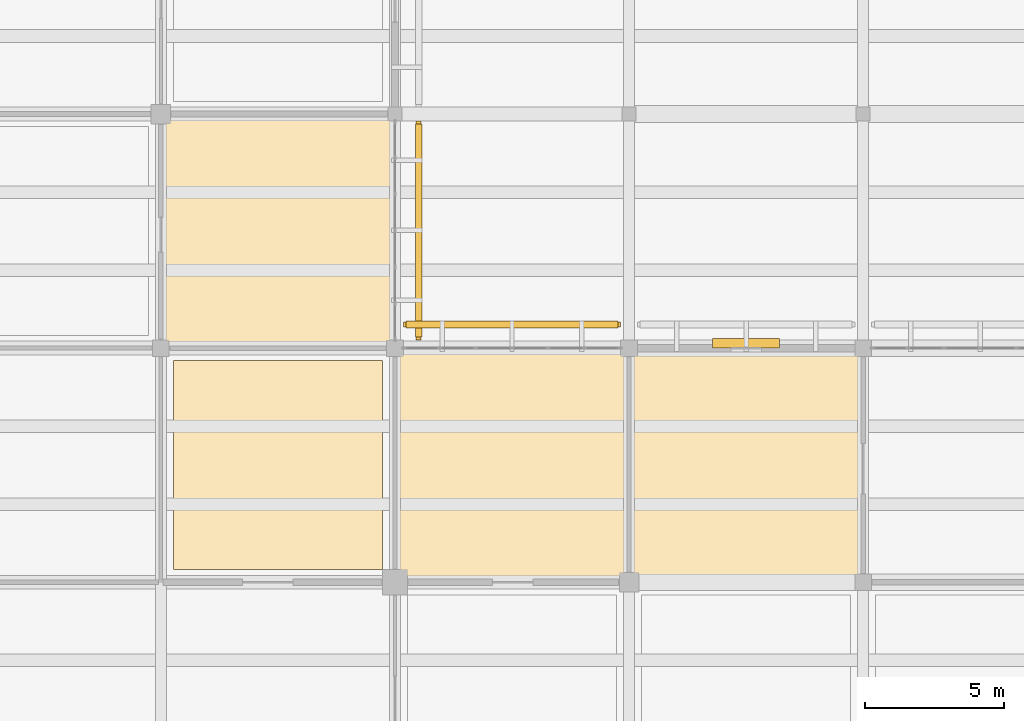
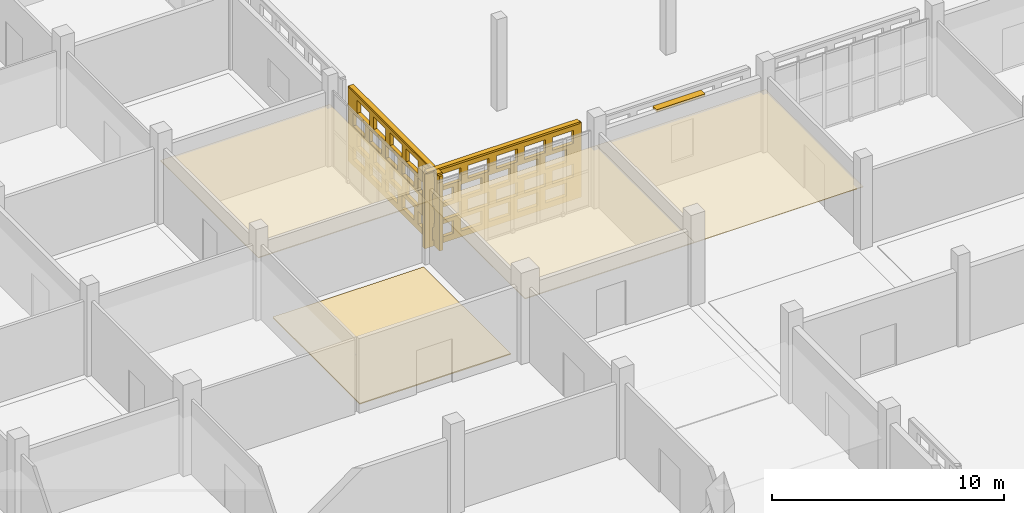
# One storey, part 88 of 129: 6 coverings, 3 shading devices, 40 openings.
"""IFC4 building model written with IfcOpenShell, lengths in metres."""

from ifc_helpers import new_model, si_unit, direction, frame, frame_2d, origin, origin_2d, place, context, subcontext, project, spatial, rectangle, extrude, material, layer, layer_set, type_object, element, save


model = new_model("IFC4")

# Units and contexts
model_context = context("Model", 3, precision=1e-05, world=origin(), true_north=direction((0.0, 1.0)))
body_context = subcontext(model_context, "Body", "Model", "MODEL_VIEW")
ifc_project = project(units=[si_unit("LENGTHUNIT", "METRE"), si_unit("AREAUNIT", "SQUARE_METRE"), si_unit("VOLUMEUNIT", "CUBIC_METRE"), si_unit("PLANEANGLEUNIT", "RADIAN"), si_unit("MASSUNIT", "GRAM", prefix="KILO")], contexts=[model_context])

# Site, building, storey
site_placement = place(None, origin())
site = spatial("IfcSite", under=ifc_project, at=site_placement, CompositionType="ELEMENT")
building_placement = place(site_placement, origin())
building = spatial("IfcBuilding", under=site, at=building_placement, Name="Varnapada Polytechnic", CompositionType="ELEMENT")
storey_placement = place(building_placement, origin())
storey = spatial("IfcBuildingStorey", under=building, at=storey_placement, Name="L00", CompositionType="ELEMENT", Elevation=0.0)

# Covering
ifc_material_1 = material(Name="End-Grain Timber Studio Block Flooring", Category="wood")
ifc_layer_1 = layer(ifc_material_1, 0.054931640625)
ifc_layer_set_1 = layer_set([ifc_layer_1], Name="End-Grain Timber Studio Block Flooring")
covering_type_1 = type_object("IfcCoveringType", Name="Floor Finish FLR-04", PredefinedType="FLOORING", material=ifc_layer_set_1)
covering_1_placement = place(storey_placement, frame((37.800048828125, 37.800048828125, 0.0), z_axis=(0.0, 0.0, 1.0), x_axis=(1.0, 0.0, 0.0)))
element("IfcCovering", 1, at=covering_1_placement, inside=storey, type_object=covering_type_1, Name="L00 floor finish panel (5,5)", PredefinedType="FLOORING", context=body_context, shape_type="SweptSolid", body=[
    extrude(rectangle(XDim=7.5, YDim=7.5, at=origin_2d()), origin(), (0.0, 0.0, 1.0), 0.054931640625),
])

# Shading device
ifc_material_2 = material(Name="Anodised aluminium", Category="aluminium")
ifc_layer_2 = layer(ifc_material_2, 0.35009765625)
ifc_layer_set_2 = layer_set([ifc_layer_2], Name="Anodised aluminium")
shading_device_type_1 = type_object("IfcShadingDeviceType", Name="Solar Louvre LVR-01", PredefinedType="JALOUSIE", material=ifc_layer_set_2)
shading_device_1_placement = place(storey_placement, frame((54.60009765625, 42.179931640625, 3.760009765625), z_axis=(0.0, 0.0, 1.0), x_axis=(1.0, 0.0, 0.0)))
element("IfcShadingDevice", 2, at=shading_device_1_placement, inside=storey, type_object=shading_device_type_1, Name="L00 aluminium sun louvre 40", PredefinedType="JALOUSIE", context=body_context, shape_type="SweptSolid", body=[
    extrude(rectangle(XDim=2.39990234375, YDim=0.340087890625, at=origin_2d()), origin(), (0.0, 0.0, 1.0), 0.1201171875),
])

# Coverings
ifc_material_3 = material(Name="Moisture-Resistant Aluminum Baffle Ceiling", Category="aluminium")
ifc_layer_3 = layer(ifc_material_3, 0.030029296875)
ifc_layer_set_3 = layer_set([ifc_layer_3], Name="Moisture-Resistant Aluminum Baffle Ceiling")
covering_type_2 = type_object("IfcCoveringType", Name="Suspended Ceiling CLG-03", PredefinedType="CEILING", material=ifc_layer_set_3)
covering_2_placement = place(storey_placement, frame((54.60009765625, 37.800048828125, 3.03515625), z_axis=(0.0, 0.0, 1.0), x_axis=(1.0, 0.0, 0.0)))
element("IfcCovering", 3, at=covering_2_placement, inside=storey, type_object=covering_type_2, Name="L00 suspended acoustic ceiling (7,5)", PredefinedType="CEILING", context=body_context, shape_type="SweptSolid", body=[
    extrude(rectangle(XDim=8.419921875, YDim=8.419921875, at=origin_2d()), origin(), (0.0, 0.0, 1.0), 0.030029296875),
])
ifc_material_4 = material(Name="Micro-Perforated Gypsum Acoustic Ceiling")
ifc_layer_4 = layer(ifc_material_4, 0.044921875)
ifc_layer_set_4 = layer_set([ifc_layer_4], Name="Micro-Perforated Gypsum Acoustic Ceiling")
covering_type_3 = type_object("IfcCoveringType", Name="Suspended Ceiling CLG-04", PredefinedType="CEILING", material=ifc_layer_set_4)
for number, where, z_axis, x_axis, name in (
    (4, (37.800048828125, 46.199951171875, 3.027587890625), (0.0, 0.0, 1.0), (1.0, 0.0, 0.0), "L00 suspended acoustic ceiling (5,6)"),
    (5, (46.199951171875, 37.800048828125, 3.027587890625), (0.0, 0.0, 1.0), (1.0, 0.0, 0.0), "L00 suspended acoustic ceiling (6,5)"),
):
    element("IfcCovering", number, at=place(storey_placement, frame(where, z_axis=z_axis, x_axis=x_axis)), inside=storey, type_object=covering_type_3, Name=name, PredefinedType="CEILING", context=body_context, shape_type="SweptSolid", body=[
        extrude(rectangle(XDim=8.419921875, YDim=8.419921875, at=origin_2d()), origin(), (0.0, 0.0, 1.0), 0.044921875),
    ])

# Covering, openings
ifc_material_5 = material(Name="Earth-toned architectural terracotta screen block", Category="masonry")
ifc_layer_5 = layer(ifc_material_5, 0.1201171875)
ifc_layer_set_5 = layer_set([ifc_layer_5], Name="Earth-toned architectural terracotta screen block")
covering_type_4 = type_object("IfcCoveringType", Name="Terracotta Screen Cladding CLD-01", PredefinedType="CLADDING", material=ifc_layer_set_5)
covering_3_placement = place(storey_placement, frame((42.85009765625, 50.14990234375, 0.0), z_axis=(0.0, 0.0, 1.0), x_axis=(0.0, -1.0, 0.0)))
covering_3 = element("IfcCovering", 6, at=covering_3_placement, inside=storey, type_object=covering_type_4, Name="L00 perforated terracotta block screen (25)", PredefinedType="CLADDING", context=body_context, shape_type="SweptSolid", body=[
    extrude(rectangle(XDim=7.849853515625, YDim=0.179931640625, at=frame_2d((3.9248046875, 0.0))), origin(), (0.0, 0.0, 1.0), 3.919921875),
])
opening_1_placement = place(covering_3_placement, frame((0.425048828125, 0.0, 0.313720703125)))
element("IfcOpeningElement", 7, at=opening_1_placement, cuts=covering_3, Name="Screen perforation TBS-L00-024.1", PredefinedType="OPENING", context=body_context, shape_type="SweptSolid", body=[
    extrude(rectangle(XDim=1.0400390625, YDim=0.679931640625, at=frame_2d((0.52001953125, 0.33984375))), frame((0.0, 0.099853515625, 0.0), z_axis=(0.0, -1.0, 0.0), x_axis=(1.0, 0.0, 0.0)), (0.0, 0.0, 1.0), 0.199951171875),
])
opening_2_placement = place(covering_3_placement, frame((1.824951171875, 0.0, 0.313720703125)))
element("IfcOpeningElement", 8, at=opening_2_placement, cuts=covering_3, Name="Screen perforation TBS-L00-024.2", PredefinedType="OPENING", context=body_context, shape_type="SweptSolid", body=[
    extrude(rectangle(XDim=1.0400390625, YDim=0.679931640625, at=frame_2d((0.52001953125, 0.33984375))), frame((0.0, 0.099853515625, 0.0), z_axis=(0.0, -1.0, 0.0), x_axis=(1.0, 0.0, 0.0)), (0.0, 0.0, 1.0), 0.199951171875),
])
opening_3_placement = place(covering_3_placement, frame((3.22509765625, 0.0, 0.313720703125)))
element("IfcOpeningElement", 9, at=opening_3_placement, cuts=covering_3, Name="Screen perforation TBS-L00-024.3", PredefinedType="OPENING", context=body_context, shape_type="SweptSolid", body=[
    extrude(rectangle(XDim=1.0400390625, YDim=0.679931640625, at=frame_2d((0.52001953125, 0.33984375))), frame((0.0, 0.099853515625, 0.0), z_axis=(0.0, -1.0, 0.0), x_axis=(1.0, 0.0, 0.0)), (0.0, 0.0, 1.0), 0.199951171875),
])
opening_4_placement = place(covering_3_placement, frame((4.625, 0.0, 0.313720703125)))
element("IfcOpeningElement", 10, at=opening_4_placement, cuts=covering_3, Name="Screen perforation TBS-L00-024.4", PredefinedType="OPENING", context=body_context, shape_type="SweptSolid", body=[
    extrude(rectangle(XDim=1.0400390625, YDim=0.679931640625, at=frame_2d((0.52001953125, 0.33984375))), frame((0.0, 0.099853515625, 0.0), z_axis=(0.0, -1.0, 0.0), x_axis=(1.0, 0.0, 0.0)), (0.0, 0.0, 1.0), 0.199951171875),
])
opening_5_placement = place(covering_3_placement, frame((6.02490234375, 0.0, 0.313720703125)))
element("IfcOpeningElement", 11, at=opening_5_placement, cuts=covering_3, Name="Screen perforation TBS-L00-024.5", PredefinedType="OPENING", context=body_context, shape_type="SweptSolid", body=[
    extrude(rectangle(XDim=1.0400390625, YDim=0.679931640625, at=frame_2d((0.52001953125, 0.33984375))), frame((0.0, 0.099853515625, 0.0), z_axis=(0.0, -1.0, 0.0), x_axis=(1.0, 0.0, 0.0)), (0.0, 0.0, 1.0), 0.199951171875),
])
opening_6_placement = place(covering_3_placement, frame((0.784912109375, 0.0, 1.195556640625)))
element("IfcOpeningElement", 12, at=opening_6_placement, cuts=covering_3, Name="Screen perforation TBS-L00-024.6", PredefinedType="OPENING", context=body_context, shape_type="SweptSolid", body=[
    extrude(rectangle(XDim=1.0400390625, YDim=0.679931640625, at=frame_2d((0.52001953125, 0.33984375))), frame((0.0, 0.099853515625, 0.0), z_axis=(0.0, -1.0, 0.0), x_axis=(1.0, 0.0, 0.0)), (0.0, 0.0, 1.0), 0.199951171875),
])
opening_7_placement = place(covering_3_placement, frame((2.18505859375, 0.0, 1.195556640625)))
element("IfcOpeningElement", 13, at=opening_7_placement, cuts=covering_3, Name="Screen perforation TBS-L00-024.7", PredefinedType="OPENING", context=body_context, shape_type="SweptSolid", body=[
    extrude(rectangle(XDim=1.0400390625, YDim=0.679931640625, at=frame_2d((0.52001953125, 0.33984375))), frame((0.0, 0.099853515625, 0.0), z_axis=(0.0, -1.0, 0.0), x_axis=(1.0, 0.0, 0.0)), (0.0, 0.0, 1.0), 0.199951171875),
])
opening_8_placement = place(covering_3_placement, frame((3.5849609375, 0.0, 1.195556640625)))
element("IfcOpeningElement", 14, at=opening_8_placement, cuts=covering_3, Name="Screen perforation TBS-L00-024.8", PredefinedType="OPENING", context=body_context, shape_type="SweptSolid", body=[
    extrude(rectangle(XDim=1.0400390625, YDim=0.679931640625, at=frame_2d((0.52001953125, 0.33984375))), frame((0.0, 0.099853515625, 0.0), z_axis=(0.0, -1.0, 0.0), x_axis=(1.0, 0.0, 0.0)), (0.0, 0.0, 1.0), 0.199951171875),
])
opening_9_placement = place(covering_3_placement, frame((4.985107421875, 0.0, 1.195556640625)))
element("IfcOpeningElement", 15, at=opening_9_placement, cuts=covering_3, Name="Screen perforation TBS-L00-024.9", PredefinedType="OPENING", context=body_context, shape_type="SweptSolid", body=[
    extrude(rectangle(XDim=1.0400390625, YDim=0.679931640625, at=frame_2d((0.52001953125, 0.33984375))), frame((0.0, 0.099853515625, 0.0), z_axis=(0.0, -1.0, 0.0), x_axis=(1.0, 0.0, 0.0)), (0.0, 0.0, 1.0), 0.199951171875),
])
opening_10_placement = place(covering_3_placement, frame((6.385009765625, 0.0, 1.195556640625)))
element("IfcOpeningElement", 16, at=opening_10_placement, cuts=covering_3, Name="Screen perforation TBS-L00-024.10", PredefinedType="OPENING", context=body_context, shape_type="SweptSolid", body=[
    extrude(rectangle(XDim=1.0400390625, YDim=0.679931640625, at=frame_2d((0.52001953125, 0.33984375))), frame((0.0, 0.099853515625, 0.0), z_axis=(0.0, -1.0, 0.0), x_axis=(1.0, 0.0, 0.0)), (0.0, 0.0, 1.0), 0.199951171875),
])
opening_11_placement = place(covering_3_placement, frame((0.425048828125, 0.0, 2.07763671875)))
element("IfcOpeningElement", 17, at=opening_11_placement, cuts=covering_3, Name="Screen perforation TBS-L00-024.11", PredefinedType="OPENING", context=body_context, shape_type="SweptSolid", body=[
    extrude(rectangle(XDim=1.0400390625, YDim=0.679931640625, at=frame_2d((0.52001953125, 0.33984375))), frame((0.0, 0.099853515625, 0.0), z_axis=(0.0, -1.0, 0.0), x_axis=(1.0, 0.0, 0.0)), (0.0, 0.0, 1.0), 0.199951171875),
])
opening_12_placement = place(covering_3_placement, frame((1.824951171875, 0.0, 2.07763671875)))
element("IfcOpeningElement", 18, at=opening_12_placement, cuts=covering_3, Name="Screen perforation TBS-L00-024.12", PredefinedType="OPENING", context=body_context, shape_type="SweptSolid", body=[
    extrude(rectangle(XDim=1.0400390625, YDim=0.679931640625, at=frame_2d((0.52001953125, 0.33984375))), frame((0.0, 0.099853515625, 0.0), z_axis=(0.0, -1.0, 0.0), x_axis=(1.0, 0.0, 0.0)), (0.0, 0.0, 1.0), 0.199951171875),
])
opening_13_placement = place(covering_3_placement, frame((3.22509765625, 0.0, 2.07763671875)))
element("IfcOpeningElement", 19, at=opening_13_placement, cuts=covering_3, Name="Screen perforation TBS-L00-024.13", PredefinedType="OPENING", context=body_context, shape_type="SweptSolid", body=[
    extrude(rectangle(XDim=1.0400390625, YDim=0.679931640625, at=frame_2d((0.52001953125, 0.33984375))), frame((0.0, 0.099853515625, 0.0), z_axis=(0.0, -1.0, 0.0), x_axis=(1.0, 0.0, 0.0)), (0.0, 0.0, 1.0), 0.199951171875),
])
opening_14_placement = place(covering_3_placement, frame((4.625, 0.0, 2.07763671875)))
element("IfcOpeningElement", 20, at=opening_14_placement, cuts=covering_3, Name="Screen perforation TBS-L00-024.14", PredefinedType="OPENING", context=body_context, shape_type="SweptSolid", body=[
    extrude(rectangle(XDim=1.0400390625, YDim=0.679931640625, at=frame_2d((0.52001953125, 0.33984375))), frame((0.0, 0.099853515625, 0.0), z_axis=(0.0, -1.0, 0.0), x_axis=(1.0, 0.0, 0.0)), (0.0, 0.0, 1.0), 0.199951171875),
])
opening_15_placement = place(covering_3_placement, frame((6.02490234375, 0.0, 2.07763671875)))
element("IfcOpeningElement", 21, at=opening_15_placement, cuts=covering_3, Name="Screen perforation TBS-L00-024.15", PredefinedType="OPENING", context=body_context, shape_type="SweptSolid", body=[
    extrude(rectangle(XDim=1.0400390625, YDim=0.679931640625, at=frame_2d((0.52001953125, 0.33984375))), frame((0.0, 0.099853515625, 0.0), z_axis=(0.0, -1.0, 0.0), x_axis=(1.0, 0.0, 0.0)), (0.0, 0.0, 1.0), 0.199951171875),
])
opening_16_placement = place(covering_3_placement, frame((0.784912109375, 0.0, 2.959716796875)))
element("IfcOpeningElement", 22, at=opening_16_placement, cuts=covering_3, Name="Screen perforation TBS-L00-024.16", PredefinedType="OPENING", context=body_context, shape_type="SweptSolid", body=[
    extrude(rectangle(XDim=1.0400390625, YDim=0.679931640625, at=frame_2d((0.52001953125, 0.33984375))), frame((0.0, 0.099853515625, 0.0), z_axis=(0.0, -1.0, 0.0), x_axis=(1.0, 0.0, 0.0)), (0.0, 0.0, 1.0), 0.199951171875),
])
opening_17_placement = place(covering_3_placement, frame((2.18505859375, 0.0, 2.959716796875)))
element("IfcOpeningElement", 23, at=opening_17_placement, cuts=covering_3, Name="Screen perforation TBS-L00-024.17", PredefinedType="OPENING", context=body_context, shape_type="SweptSolid", body=[
    extrude(rectangle(XDim=1.0400390625, YDim=0.679931640625, at=frame_2d((0.52001953125, 0.33984375))), frame((0.0, 0.099853515625, 0.0), z_axis=(0.0, -1.0, 0.0), x_axis=(1.0, 0.0, 0.0)), (0.0, 0.0, 1.0), 0.199951171875),
])
opening_18_placement = place(covering_3_placement, frame((3.5849609375, 0.0, 2.959716796875)))
element("IfcOpeningElement", 24, at=opening_18_placement, cuts=covering_3, Name="Screen perforation TBS-L00-024.18", PredefinedType="OPENING", context=body_context, shape_type="SweptSolid", body=[
    extrude(rectangle(XDim=1.0400390625, YDim=0.679931640625, at=frame_2d((0.52001953125, 0.33984375))), frame((0.0, 0.099853515625, 0.0), z_axis=(0.0, -1.0, 0.0), x_axis=(1.0, 0.0, 0.0)), (0.0, 0.0, 1.0), 0.199951171875),
])
opening_19_placement = place(covering_3_placement, frame((4.985107421875, 0.0, 2.959716796875)))
element("IfcOpeningElement", 25, at=opening_19_placement, cuts=covering_3, Name="Screen perforation TBS-L00-024.19", PredefinedType="OPENING", context=body_context, shape_type="SweptSolid", body=[
    extrude(rectangle(XDim=1.0400390625, YDim=0.679931640625, at=frame_2d((0.52001953125, 0.33984375))), frame((0.0, 0.099853515625, 0.0), z_axis=(0.0, -1.0, 0.0), x_axis=(1.0, 0.0, 0.0)), (0.0, 0.0, 1.0), 0.199951171875),
])
opening_20_placement = place(covering_3_placement, frame((6.385009765625, 0.0, 2.959716796875)))
element("IfcOpeningElement", 26, at=opening_20_placement, cuts=covering_3, Name="Screen perforation TBS-L00-024.20", PredefinedType="OPENING", context=body_context, shape_type="SweptSolid", body=[
    extrude(rectangle(XDim=1.0400390625, YDim=0.679931640625, at=frame_2d((0.52001953125, 0.33984375))), frame((0.0, 0.099853515625, 0.0), z_axis=(0.0, -1.0, 0.0), x_axis=(1.0, 0.0, 0.0)), (0.0, 0.0, 1.0), 0.199951171875),
])

covering_4_placement = place(storey_placement, frame((42.300048828125, 42.85009765625, 0.0), z_axis=(0.0, 0.0, 1.0), x_axis=(1.0, 0.0, 0.0)))
covering_4 = element("IfcCovering", 27, at=covering_4_placement, inside=storey, type_object=covering_type_4, Name="L00 perforated terracotta block screen (36)", PredefinedType="CLADDING", context=body_context, shape_type="SweptSolid", body=[
    extrude(rectangle(XDim=7.800048828125, YDim=0.179931640625, at=frame_2d((3.89990234375, 0.0))), origin(), (0.0, 0.0, 1.0), 3.919921875),
])
opening_21_placement = place(covering_4_placement, frame((0.39990234375, 0.0, 0.313720703125)))
element("IfcOpeningElement", 28, at=opening_21_placement, cuts=covering_4, Name="Screen perforation TBS-L00-035.1", PredefinedType="OPENING", context=body_context, shape_type="SweptSolid", body=[
    extrude(rectangle(XDim=1.0400390625, YDim=0.679931640625, at=frame_2d((0.52001953125, 0.33984375))), frame((0.0, 0.099853515625, 0.0), z_axis=(0.0, -1.0, 0.0), x_axis=(1.0, 0.0, 0.0)), (0.0, 0.0, 1.0), 0.199951171875),
])
opening_22_placement = place(covering_4_placement, frame((1.800048828125, 0.0, 0.313720703125)))
element("IfcOpeningElement", 29, at=opening_22_placement, cuts=covering_4, Name="Screen perforation TBS-L00-035.2", PredefinedType="OPENING", context=body_context, shape_type="SweptSolid", body=[
    extrude(rectangle(XDim=1.0400390625, YDim=0.679931640625, at=frame_2d((0.52001953125, 0.33984375))), frame((0.0, 0.099853515625, 0.0), z_axis=(0.0, -1.0, 0.0), x_axis=(1.0, 0.0, 0.0)), (0.0, 0.0, 1.0), 0.199951171875),
])
opening_23_placement = place(covering_4_placement, frame((3.199951171875, 0.0, 0.313720703125)))
element("IfcOpeningElement", 30, at=opening_23_placement, cuts=covering_4, Name="Screen perforation TBS-L00-035.3", PredefinedType="OPENING", context=body_context, shape_type="SweptSolid", body=[
    extrude(rectangle(XDim=1.0400390625, YDim=0.679931640625, at=frame_2d((0.52001953125, 0.33984375))), frame((0.0, 0.099853515625, 0.0), z_axis=(0.0, -1.0, 0.0), x_axis=(1.0, 0.0, 0.0)), (0.0, 0.0, 1.0), 0.199951171875),
])
opening_24_placement = place(covering_4_placement, frame((4.60009765625, 0.0, 0.313720703125)))
element("IfcOpeningElement", 31, at=opening_24_placement, cuts=covering_4, Name="Screen perforation TBS-L00-035.4", PredefinedType="OPENING", context=body_context, shape_type="SweptSolid", body=[
    extrude(rectangle(XDim=1.0400390625, YDim=0.679931640625, at=frame_2d((0.52001953125, 0.33984375))), frame((0.0, 0.099853515625, 0.0), z_axis=(0.0, -1.0, 0.0), x_axis=(1.0, 0.0, 0.0)), (0.0, 0.0, 1.0), 0.199951171875),
])
opening_25_placement = place(covering_4_placement, frame((6.0, 0.0, 0.313720703125)))
element("IfcOpeningElement", 32, at=opening_25_placement, cuts=covering_4, Name="Screen perforation TBS-L00-035.5", PredefinedType="OPENING", context=body_context, shape_type="SweptSolid", body=[
    extrude(rectangle(XDim=1.0400390625, YDim=0.679931640625, at=frame_2d((0.52001953125, 0.33984375))), frame((0.0, 0.099853515625, 0.0), z_axis=(0.0, -1.0, 0.0), x_axis=(1.0, 0.0, 0.0)), (0.0, 0.0, 1.0), 0.199951171875),
])
opening_26_placement = place(covering_4_placement, frame((0.760009765625, 0.0, 1.195556640625)))
element("IfcOpeningElement", 33, at=opening_26_placement, cuts=covering_4, Name="Screen perforation TBS-L00-035.6", PredefinedType="OPENING", context=body_context, shape_type="SweptSolid", body=[
    extrude(rectangle(XDim=1.0400390625, YDim=0.679931640625, at=frame_2d((0.52001953125, 0.33984375))), frame((0.0, 0.099853515625, 0.0), z_axis=(0.0, -1.0, 0.0), x_axis=(1.0, 0.0, 0.0)), (0.0, 0.0, 1.0), 0.199951171875),
])
opening_27_placement = place(covering_4_placement, frame((2.159912109375, 0.0, 1.195556640625)))
element("IfcOpeningElement", 34, at=opening_27_placement, cuts=covering_4, Name="Screen perforation TBS-L00-035.7", PredefinedType="OPENING", context=body_context, shape_type="SweptSolid", body=[
    extrude(rectangle(XDim=1.0400390625, YDim=0.679931640625, at=frame_2d((0.52001953125, 0.33984375))), frame((0.0, 0.099853515625, 0.0), z_axis=(0.0, -1.0, 0.0), x_axis=(1.0, 0.0, 0.0)), (0.0, 0.0, 1.0), 0.199951171875),
])
opening_28_placement = place(covering_4_placement, frame((3.56005859375, 0.0, 1.195556640625)))
element("IfcOpeningElement", 35, at=opening_28_placement, cuts=covering_4, Name="Screen perforation TBS-L00-035.8", PredefinedType="OPENING", context=body_context, shape_type="SweptSolid", body=[
    extrude(rectangle(XDim=1.0400390625, YDim=0.679931640625, at=frame_2d((0.52001953125, 0.33984375))), frame((0.0, 0.099853515625, 0.0), z_axis=(0.0, -1.0, 0.0), x_axis=(1.0, 0.0, 0.0)), (0.0, 0.0, 1.0), 0.199951171875),
])
opening_29_placement = place(covering_4_placement, frame((4.9599609375, 0.0, 1.195556640625)))
element("IfcOpeningElement", 36, at=opening_29_placement, cuts=covering_4, Name="Screen perforation TBS-L00-035.9", PredefinedType="OPENING", context=body_context, shape_type="SweptSolid", body=[
    extrude(rectangle(XDim=1.0400390625, YDim=0.679931640625, at=frame_2d((0.52001953125, 0.33984375))), frame((0.0, 0.099853515625, 0.0), z_axis=(0.0, -1.0, 0.0), x_axis=(1.0, 0.0, 0.0)), (0.0, 0.0, 1.0), 0.199951171875),
])
opening_30_placement = place(covering_4_placement, frame((6.360107421875, 0.0, 1.195556640625)))
element("IfcOpeningElement", 37, at=opening_30_placement, cuts=covering_4, Name="Screen perforation TBS-L00-035.10", PredefinedType="OPENING", context=body_context, shape_type="SweptSolid", body=[
    extrude(rectangle(XDim=1.0400390625, YDim=0.679931640625, at=frame_2d((0.52001953125, 0.33984375))), frame((0.0, 0.099853515625, 0.0), z_axis=(0.0, -1.0, 0.0), x_axis=(1.0, 0.0, 0.0)), (0.0, 0.0, 1.0), 0.199951171875),
])
opening_31_placement = place(covering_4_placement, frame((0.39990234375, 0.0, 2.07763671875)))
element("IfcOpeningElement", 38, at=opening_31_placement, cuts=covering_4, Name="Screen perforation TBS-L00-035.11", PredefinedType="OPENING", context=body_context, shape_type="SweptSolid", body=[
    extrude(rectangle(XDim=1.0400390625, YDim=0.679931640625, at=frame_2d((0.52001953125, 0.33984375))), frame((0.0, 0.099853515625, 0.0), z_axis=(0.0, -1.0, 0.0), x_axis=(1.0, 0.0, 0.0)), (0.0, 0.0, 1.0), 0.199951171875),
])
opening_32_placement = place(covering_4_placement, frame((1.800048828125, 0.0, 2.07763671875)))
element("IfcOpeningElement", 39, at=opening_32_placement, cuts=covering_4, Name="Screen perforation TBS-L00-035.12", PredefinedType="OPENING", context=body_context, shape_type="SweptSolid", body=[
    extrude(rectangle(XDim=1.0400390625, YDim=0.679931640625, at=frame_2d((0.52001953125, 0.33984375))), frame((0.0, 0.099853515625, 0.0), z_axis=(0.0, -1.0, 0.0), x_axis=(1.0, 0.0, 0.0)), (0.0, 0.0, 1.0), 0.199951171875),
])
opening_33_placement = place(covering_4_placement, frame((3.199951171875, 0.0, 2.07763671875)))
element("IfcOpeningElement", 40, at=opening_33_placement, cuts=covering_4, Name="Screen perforation TBS-L00-035.13", PredefinedType="OPENING", context=body_context, shape_type="SweptSolid", body=[
    extrude(rectangle(XDim=1.0400390625, YDim=0.679931640625, at=frame_2d((0.52001953125, 0.33984375))), frame((0.0, 0.099853515625, 0.0), z_axis=(0.0, -1.0, 0.0), x_axis=(1.0, 0.0, 0.0)), (0.0, 0.0, 1.0), 0.199951171875),
])
opening_34_placement = place(covering_4_placement, frame((4.60009765625, 0.0, 2.07763671875)))
element("IfcOpeningElement", 41, at=opening_34_placement, cuts=covering_4, Name="Screen perforation TBS-L00-035.14", PredefinedType="OPENING", context=body_context, shape_type="SweptSolid", body=[
    extrude(rectangle(XDim=1.0400390625, YDim=0.679931640625, at=frame_2d((0.52001953125, 0.33984375))), frame((0.0, 0.099853515625, 0.0), z_axis=(0.0, -1.0, 0.0), x_axis=(1.0, 0.0, 0.0)), (0.0, 0.0, 1.0), 0.199951171875),
])
opening_35_placement = place(covering_4_placement, frame((6.0, 0.0, 2.07763671875)))
element("IfcOpeningElement", 42, at=opening_35_placement, cuts=covering_4, Name="Screen perforation TBS-L00-035.15", PredefinedType="OPENING", context=body_context, shape_type="SweptSolid", body=[
    extrude(rectangle(XDim=1.0400390625, YDim=0.679931640625, at=frame_2d((0.52001953125, 0.33984375))), frame((0.0, 0.099853515625, 0.0), z_axis=(0.0, -1.0, 0.0), x_axis=(1.0, 0.0, 0.0)), (0.0, 0.0, 1.0), 0.199951171875),
])
opening_36_placement = place(covering_4_placement, frame((0.760009765625, 0.0, 2.959716796875)))
element("IfcOpeningElement", 43, at=opening_36_placement, cuts=covering_4, Name="Screen perforation TBS-L00-035.16", PredefinedType="OPENING", context=body_context, shape_type="SweptSolid", body=[
    extrude(rectangle(XDim=1.0400390625, YDim=0.679931640625, at=frame_2d((0.52001953125, 0.33984375))), frame((0.0, 0.099853515625, 0.0), z_axis=(0.0, -1.0, 0.0), x_axis=(1.0, 0.0, 0.0)), (0.0, 0.0, 1.0), 0.199951171875),
])
opening_37_placement = place(covering_4_placement, frame((2.159912109375, 0.0, 2.959716796875)))
element("IfcOpeningElement", 44, at=opening_37_placement, cuts=covering_4, Name="Screen perforation TBS-L00-035.17", PredefinedType="OPENING", context=body_context, shape_type="SweptSolid", body=[
    extrude(rectangle(XDim=1.0400390625, YDim=0.679931640625, at=frame_2d((0.52001953125, 0.33984375))), frame((0.0, 0.099853515625, 0.0), z_axis=(0.0, -1.0, 0.0), x_axis=(1.0, 0.0, 0.0)), (0.0, 0.0, 1.0), 0.199951171875),
])
opening_38_placement = place(covering_4_placement, frame((3.56005859375, 0.0, 2.959716796875)))
element("IfcOpeningElement", 45, at=opening_38_placement, cuts=covering_4, Name="Screen perforation TBS-L00-035.18", PredefinedType="OPENING", context=body_context, shape_type="SweptSolid", body=[
    extrude(rectangle(XDim=1.0400390625, YDim=0.679931640625, at=frame_2d((0.52001953125, 0.33984375))), frame((0.0, 0.099853515625, 0.0), z_axis=(0.0, -1.0, 0.0), x_axis=(1.0, 0.0, 0.0)), (0.0, 0.0, 1.0), 0.199951171875),
])
opening_39_placement = place(covering_4_placement, frame((4.9599609375, 0.0, 2.959716796875)))
element("IfcOpeningElement", 46, at=opening_39_placement, cuts=covering_4, Name="Screen perforation TBS-L00-035.19", PredefinedType="OPENING", context=body_context, shape_type="SweptSolid", body=[
    extrude(rectangle(XDim=1.0400390625, YDim=0.679931640625, at=frame_2d((0.52001953125, 0.33984375))), frame((0.0, 0.099853515625, 0.0), z_axis=(0.0, -1.0, 0.0), x_axis=(1.0, 0.0, 0.0)), (0.0, 0.0, 1.0), 0.199951171875),
])
opening_40_placement = place(covering_4_placement, frame((6.360107421875, 0.0, 2.959716796875)))
element("IfcOpeningElement", 47, at=opening_40_placement, cuts=covering_4, Name="Screen perforation TBS-L00-035.20", PredefinedType="OPENING", context=body_context, shape_type="SweptSolid", body=[
    extrude(rectangle(XDim=1.0400390625, YDim=0.679931640625, at=frame_2d((0.52001953125, 0.33984375))), frame((0.0, 0.099853515625, 0.0), z_axis=(0.0, -1.0, 0.0), x_axis=(1.0, 0.0, 0.0)), (0.0, 0.0, 1.0), 0.199951171875),
])

# Shading devices
ifc_layer_6 = layer(ifc_material_5, 0.179931640625)
ifc_layer_set_6 = layer_set([ifc_layer_6], Name="Earth-toned architectural terracotta screen block")
shading_device_type_2 = type_object("IfcShadingDeviceType", Name="Terracotta Screen SCR-02", PredefinedType="USERDEFINED", material=ifc_layer_set_6)
shading_device_2_placement = place(storey_placement, frame((42.85009765625, 46.22509765625, 3.909912109375), z_axis=(0.0, 0.0, 1.0), x_axis=(0.0, -1.0, 0.0)))
element("IfcShadingDevice", 48, at=shading_device_2_placement, inside=storey, type_object=shading_device_type_2, Name="L00 perforated terracotta screen hood 20", ObjectType="SCREEN", PredefinedType="USERDEFINED", context=body_context, shape_type="SweptSolid", body=[
    extrude(rectangle(XDim=7.64990234375, YDim=0.239990234375, at=origin_2d()), origin(), (0.0, 0.0, 1.0), 0.10009765625),
])
shading_device_3_placement = place(storey_placement, frame((46.199951171875, 42.85009765625, 3.909912109375), z_axis=(0.0, 0.0, 1.0), x_axis=(1.0, 0.0, 0.0)))
element("IfcShadingDevice", 49, at=shading_device_3_placement, inside=storey, type_object=shading_device_type_2, Name="L00 perforated terracotta screen hood 29", ObjectType="SCREEN", PredefinedType="USERDEFINED", context=body_context, shape_type="SweptSolid", body=[
    extrude(rectangle(XDim=7.60009765625, YDim=0.239990234375, at=origin_2d()), origin(), (0.0, 0.0, 1.0), 0.10009765625),
])

save(model, "model.ifc")
